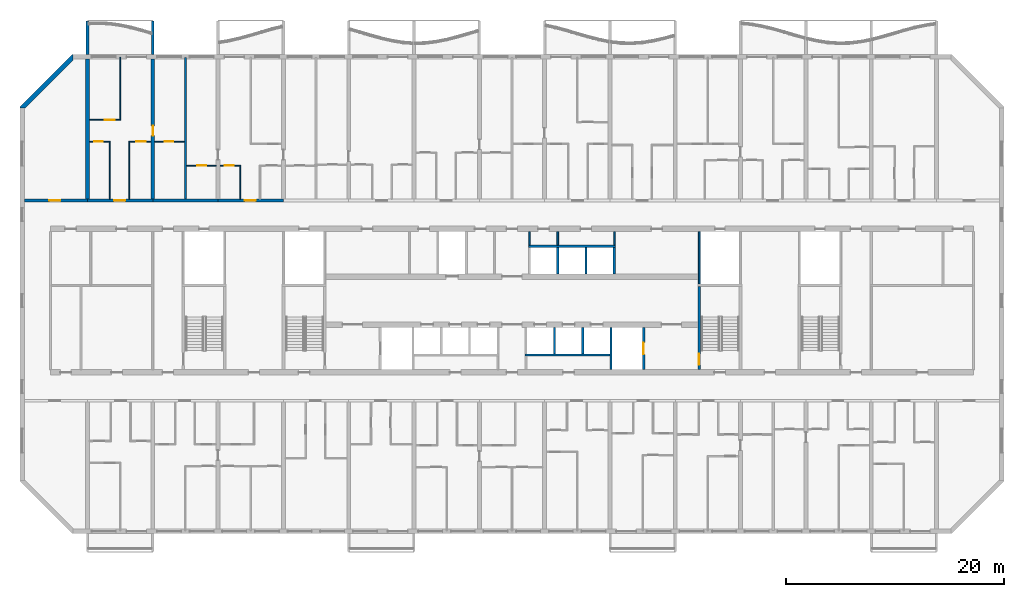
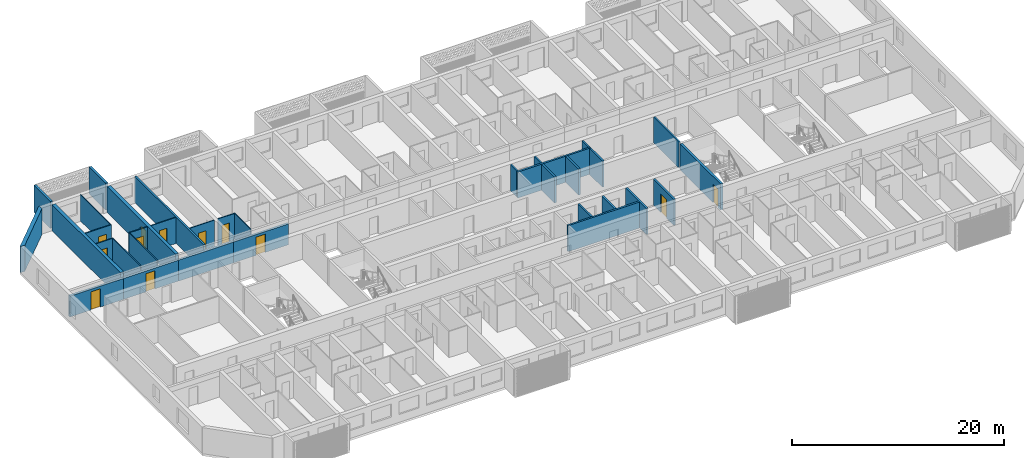
# One storey, part 9 of 24: 34 walls, 12 doors, 12 openings.
"""IFC4 building model written with IfcOpenShell, lengths in metres."""

from ifc_helpers import new_model, si_unit, direction, frame, frame_2d, origin, place, context, subcontext, project, spatial, polyline, rectangle, outline, extrude, source, transform, mapped, material, layer, layer_set, type_object, element, fill, save


model = new_model("IFC4")

# Units and contexts
model_context = context("Model", 3, precision=1e-05, world=origin(), true_north=direction((0.0, 1.0)))
body_context = subcontext(model_context, "Body", "Model", "MODEL_VIEW")
ifc_project = project(units=[si_unit("LENGTHUNIT", "METRE"), si_unit("AREAUNIT", "SQUARE_METRE"), si_unit("VOLUMEUNIT", "CUBIC_METRE"), si_unit("PLANEANGLEUNIT", "RADIAN"), si_unit("MASSUNIT", "GRAM", prefix="KILO")], contexts=[model_context])

# Site, building, storey
site_placement = place(None, origin())
site = spatial("IfcSite", under=ifc_project, at=site_placement, CompositionType="ELEMENT")
building_placement = place(site_placement, origin())
building = spatial("IfcBuilding", under=site, at=building_placement, Name="Poui Terraces", CompositionType="ELEMENT")
storey_placement = place(building_placement, frame((0.0, 0.0, 102.60009765625)))
storey = spatial("IfcBuildingStorey", under=building, at=storey_placement, Name="L28", CompositionType="ELEMENT", Elevation=102.60009765625)

# Wall
ifc_material_1 = material(Name="Fire-rated plasterboard wall")
ifc_layer_1 = layer(ifc_material_1, 0.14990234375)
ifc_layer_set_1 = layer_set([ifc_layer_1], Name="Fire-rated plasterboard wall")
wall_type_1 = type_object("IfcWallType", Name="CORRIDOR WALL 150", PredefinedType="PARTITIONING", material=ifc_layer_set_1)
wall_1_placement = place(storey_placement, frame((52.60009765625, 26.300048828125, 0.0), z_axis=(0.0, 0.0, 1.0), x_axis=(0.0, 1.0, 0.0)))
element("IfcWall", 1, at=wall_1_placement, inside=storey, type_object=wall_type_1, Name="CORRIDOR WALL 150", PredefinedType="PARTITIONING", context=body_context, shape_type="SweptSolid", body=[
    extrude(rectangle(XDim=1.239990234375, YDim=0.14990234375, at=frame_2d((0.6201171875, 0.0))), origin(), (0.0, 0.0, 1.0), 3.0),
])

# Wall, opening, door
ifc_material_2 = material(Name="Concrete 65 MPa", Category="concrete")
ifc_layer_2 = layer(ifc_material_2, 0.25)
ifc_layer_set_2 = layer_set([ifc_layer_2], Name="Concrete 65 MPa")
wall_type_2 = type_object("IfcWallType", Name="CORRIDOR WALL 250 65MPa", PredefinedType="SHEAR", material=ifc_layer_set_2)
wall_2_placement = place(storey_placement, frame((6.199951171875, 30.39990234375, 0.0), z_axis=(0.0, 0.0, 1.0), x_axis=(1.0, 0.0, 0.0)))
wall_2 = element("IfcWall", 2, at=wall_2_placement, inside=storey, type_object=wall_type_2, Name="CORRIDOR WALL LINE E BAY 1", PredefinedType="SHEAR", context=body_context, shape_type="SweptSolid", body=[
    extrude(rectangle(XDim=5.800048828125, YDim=0.25, at=frame_2d((2.89990234375, 0.0))), origin(), (0.0, 0.0, 1.0), 2.39990234375),
])
opening_1_placement = place(wall_2_placement, frame((2.300048828125, 0.0, 0.0)))
opening_1 = element("IfcOpeningElement", 3, at=opening_1_placement, cuts=wall_2, Name="Opening D100", PredefinedType="OPENING", context=body_context, shape_type="SweptSolid", body=[
    extrude(rectangle(XDim=1.0, YDim=2.10009765625, at=frame_2d((0.5, 1.050048828125))), frame((0.0, 0.135009765625, 0.0), z_axis=(0.0, -1.0, 0.0), x_axis=(1.0, 0.0, 0.0)), (0.0, 0.0, 1.0), 0.27001953125),
])
ifc_material_3 = material(Name="Solid core timber door", Category="wood")
door_type_1 = type_object("IfcDoorType", Name="ACCESSIBLE INTERNAL DOOR 1000 X 2100", OperationType="NOTDEFINED", PredefinedType="DOOR", material=ifc_material_3)
door_1_placement = place(opening_1_placement, origin())
door_1 = element("IfcDoor", 4, at=door_1_placement, inside=storey, type_object=door_type_1, Name="ACCESSIBLE INTERNAL DOOR 030", OperationType="SINGLE_SWING_LEFT", OverallHeight=2.10009765625, OverallWidth=1.0, PredefinedType="DOOR", context=body_context, shape_type="SweptSolid", body=[
    extrude(rectangle(XDim=1.0, YDim=2.10009765625, at=frame_2d((0.5, 1.050048828125))), frame((0.0, 0.02490234375, 0.0), z_axis=(0.0, -1.0, 0.0), x_axis=(1.0, 0.0, 0.0)), (0.0, 0.0, 1.0), 0.050048828125),
])
fill(opening_1, door_1)

wall_3_placement = place(storey_placement, frame((12.0, 30.39990234375, 0.0), z_axis=(0.0, 0.0, 1.0), x_axis=(1.0, 0.0, 0.0)))
wall_3 = element("IfcWall", 5, at=wall_3_placement, inside=storey, type_object=wall_type_2, Name="CORRIDOR WALL LINE E BAY 2", PredefinedType="SHEAR", context=body_context, shape_type="SweptSolid", body=[
    extrude(rectangle(XDim=6.0, YDim=0.25, at=frame_2d((3.0, 0.0))), origin(), (0.0, 0.0, 1.0), 2.39990234375),
])
opening_2_placement = place(wall_3_placement, frame((2.449951171875, 0.0, 0.0)))
opening_2 = element("IfcOpeningElement", 6, at=opening_2_placement, cuts=wall_3, Name="Opening FD30S", PredefinedType="OPENING", context=body_context, shape_type="SweptSolid", body=[
    extrude(rectangle(XDim=1.0, YDim=2.10009765625, at=frame_2d((0.5, 1.050048828125))), frame((0.0, 0.135009765625, 0.0), z_axis=(0.0, -1.0, 0.0), x_axis=(1.0, 0.0, 0.0)), (0.0, 0.0, 1.0), 0.27001953125),
])
ifc_material_4 = material(Name="Steel fire door", Category="steel")
door_type_2 = type_object("IfcDoorType", Name="FLAT ENTRANCE DOOR 1000 X 2100", OperationType="NOTDEFINED", PredefinedType="DOOR", material=ifc_material_4)
door_2_placement = place(opening_2_placement, origin())
door_2 = element("IfcDoor", 7, at=door_2_placement, inside=storey, type_object=door_type_2, Name="FLAT ENTRANCE DOOR 034", OperationType="SINGLE_SWING_LEFT", OverallHeight=2.10009765625, OverallWidth=1.0, PredefinedType="DOOR", context=body_context, shape_type="SweptSolid", body=[
    extrude(rectangle(XDim=1.0, YDim=2.10009765625, at=frame_2d((0.5, 1.050048828125))), frame((0.0, 0.02490234375, 0.0), z_axis=(0.0, -1.0, 0.0), x_axis=(1.0, 0.0, 0.0)), (0.0, 0.0, 1.0), 0.050048828125),
])
fill(opening_2, door_2)

# Wall
wall_4_placement = place(storey_placement, frame((18.0, 30.39990234375, 0.0), z_axis=(0.0, 0.0, 1.0), x_axis=(1.0, 0.0, 0.0)))
element("IfcWall", 8, at=wall_4_placement, inside=storey, type_object=wall_type_2, Name="CORRIDOR WALL LINE E BAY 3", PredefinedType="SHEAR", context=body_context, shape_type="SweptSolid", body=[
    extrude(rectangle(XDim=6.0, YDim=0.25, at=frame_2d((3.0, 0.0))), origin(), (0.0, 0.0, 1.0), 2.39990234375),
])

# Wall, opening, door
wall_5_placement = place(storey_placement, frame((24.0, 30.39990234375, 0.0), z_axis=(0.0, 0.0, 1.0), x_axis=(1.0, 0.0, 0.0)))
wall_5 = element("IfcWall", 9, at=wall_5_placement, inside=storey, type_object=wall_type_2, Name="CORRIDOR WALL LINE E BAY 4", PredefinedType="SHEAR", context=body_context, shape_type="SweptSolid", body=[
    extrude(rectangle(XDim=6.0, YDim=0.25, at=frame_2d((3.0, 0.0))), origin(), (0.0, 0.0, 1.0), 2.39990234375),
])
opening_3_placement = place(wall_5_placement, frame((2.449951171875, 0.0, 0.0)))
opening_3 = element("IfcOpeningElement", 10, at=opening_3_placement, cuts=wall_5, Name="Opening FD30S", PredefinedType="OPENING", context=body_context, shape_type="SweptSolid", body=[
    extrude(rectangle(XDim=1.0, YDim=2.10009765625, at=frame_2d((0.5, 1.050048828125))), frame((0.0, 0.135009765625, 0.0), z_axis=(0.0, -1.0, 0.0), x_axis=(1.0, 0.0, 0.0)), (0.0, 0.0, 1.0), 0.27001953125),
])
door_3_placement = place(opening_3_placement, origin())
door_3 = element("IfcDoor", 11, at=door_3_placement, inside=storey, type_object=door_type_2, Name="FLAT ENTRANCE DOOR 041", OperationType="SINGLE_SWING_LEFT", OverallHeight=2.10009765625, OverallWidth=1.0, PredefinedType="DOOR", context=body_context, shape_type="SweptSolid", body=[
    extrude(rectangle(XDim=1.0, YDim=2.10009765625, at=frame_2d((0.5, 1.050048828125))), frame((0.0, 0.02490234375, 0.0), z_axis=(0.0, -1.0, 0.0), x_axis=(1.0, 0.0, 0.0)), (0.0, 0.0, 1.0), 0.050048828125),
])
fill(opening_3, door_3)

# Wall
ifc_layer_3 = layer(ifc_material_2, 0.35009765625)
ifc_layer_set_3 = layer_set([ifc_layer_3], Name="Concrete 65 MPa")
wall_type_3 = type_object("IfcWallType", Name="CROSS WALL 350 65MPa", PredefinedType="SHEAR", material=ifc_layer_set_3)
wall_6_placement = place(storey_placement, frame((12.0, 30.52490234375, 0.0), z_axis=(0.0, 0.0, 1.0), x_axis=(0.0, 1.0, 0.0)))
element("IfcWall", 12, at=wall_6_placement, inside=storey, type_object=wall_type_3, Name="CROSS WALL LINE 3 NORTH", PredefinedType="SHEAR", context=body_context, shape_type="SweptSolid", body=[
    extrude(rectangle(XDim=12.875, YDim=0.35009765625, at=frame_2d((6.4375, 0.0))), origin(), (0.0, 0.0, 1.0), 3.0),
])

# Wall, opening, door
wall_7_placement = place(storey_placement, frame((18.0, 30.52490234375, 0.0), z_axis=(0.0, 0.0, 1.0), x_axis=(0.0, 1.0, 0.0)))
wall_7 = element("IfcWall", 13, at=wall_7_placement, inside=storey, type_object=wall_type_3, Name="CROSS WALL LINE 4 NORTH", PredefinedType="SHEAR", context=body_context, shape_type="SweptSolid", body=[
    extrude(rectangle(XDim=12.875, YDim=0.35009765625, at=frame_2d((6.4375, 0.0))), origin(), (0.0, 0.0, 1.0), 3.0),
])
opening_4_placement = place(wall_7_placement, frame((5.824951171875, 0.0, 0.0)))
opening_4 = element("IfcOpeningElement", 14, at=opening_4_placement, cuts=wall_7, Name="Opening D90", PredefinedType="OPENING", context=body_context, shape_type="SweptSolid", body=[
    extrude(rectangle(XDim=0.89990234375, YDim=2.10009765625, at=frame_2d((0.449951171875, 1.050048828125))), frame((0.0, 0.18505859375, 0.0), z_axis=(0.0, -1.0, 0.0), x_axis=(1.0, 0.0, 0.0)), (0.0, 0.0, 1.0), 0.3701171875),
])
door_type_3 = type_object("IfcDoorType", Name="INTERNAL DOOR 900 X 2100", OperationType="NOTDEFINED", PredefinedType="DOOR", material=ifc_material_3)
door_4_placement = place(opening_4_placement, frame((0.89990234375, 0.0, 0.0), z_axis=(0.0, 0.0, 1.0), x_axis=(-1.0, 0.0, 0.0)))
door_4 = element("IfcDoor", 15, at=door_4_placement, inside=storey, type_object=door_type_3, Name="INTERNAL DOOR 036", OperationType="SINGLE_SWING_RIGHT", OverallHeight=2.10009765625, OverallWidth=0.89990234375, PredefinedType="DOOR", context=body_context, shape_type="SweptSolid", body=[
    extrude(rectangle(XDim=0.89990234375, YDim=2.10009765625, at=frame_2d((0.449951171875, 1.050048828125))), frame((0.0, 0.02490234375, 0.0), z_axis=(0.0, -1.0, 0.0), x_axis=(1.0, 0.0, 0.0)), (0.0, 0.0, 1.0), 0.050048828125),
])
fill(opening_4, door_4)

ifc_material_5 = material(Name="Plasterboard partition")
ifc_layer_4 = layer(ifc_material_5, 0.10009765625)
ifc_layer_set_4 = layer_set([ifc_layer_4], Name="Plasterboard partition")
wall_type_4 = type_object("IfcWallType", Name="FLAT PARTITION 100", PredefinedType="PARTITIONING", material=ifc_layer_set_4)
wall_8_placement = place(storey_placement, frame((21.10009765625, 33.60009765625, 0.0), z_axis=(0.0, 0.0, 1.0), x_axis=(1.0, 0.0, 0.0)))
wall_8 = element("IfcWall", 16, at=wall_8_placement, inside=storey, type_object=wall_type_4, Name="FLAT PARTITION 100", PredefinedType="PARTITIONING", context=body_context, shape_type="SweptSolid", body=[
    extrude(rectangle(XDim=2.71484375, YDim=0.10009765625, at=frame_2d((1.357421875, 0.0))), origin(), (0.0, 0.0, 1.0), 3.0),
])
opening_5_placement = place(wall_8_placement, frame((1.0, 0.0, 0.0)))
opening_5 = element("IfcOpeningElement", 17, at=opening_5_placement, cuts=wall_8, Name="Opening D80", PredefinedType="OPENING", context=body_context, shape_type="SweptSolid", body=[
    extrude(rectangle(XDim=0.800048828125, YDim=2.10009765625, at=frame_2d((0.39990234375, 1.050048828125))), frame((0.0, 0.06005859375, 0.0), z_axis=(0.0, -1.0, 0.0), x_axis=(1.0, 0.0, 0.0)), (0.0, 0.0, 1.0), 0.1201171875),
])
door_type_4 = type_object("IfcDoorType", Name="BATHROOM, LAUNDRY AND STORE DOOR 800 X 2100", OperationType="NOTDEFINED", PredefinedType="DOOR", material=ifc_material_3)
door_5_placement = place(opening_5_placement, frame((0.800048828125, 0.0, 0.0), z_axis=(0.0, 0.0, 1.0), x_axis=(-1.0, 0.0, 0.0)))
door_5 = element("IfcDoor", 18, at=door_5_placement, inside=storey, type_object=door_type_4, Name="BATHROOM, LAUNDRY AND STORE DOOR 037", OperationType="SINGLE_SWING_RIGHT", OverallHeight=2.10009765625, OverallWidth=0.800048828125, PredefinedType="DOOR", context=body_context, shape_type="SweptSolid", body=[
    extrude(rectangle(XDim=0.800048828125, YDim=2.10009765625, at=frame_2d((0.39990234375, 1.050048828125))), frame((0.0, 0.02490234375, 0.0), z_axis=(0.0, -1.0, 0.0), x_axis=(1.0, 0.0, 0.0)), (0.0, 0.0, 1.0), 0.050048828125),
])
fill(opening_5, door_5)

wall_9_placement = place(storey_placement, frame((24.18505859375, 33.60009765625, 0.0), z_axis=(0.0, 0.0, 1.0), x_axis=(1.0, 0.0, 0.0)))
wall_9 = element("IfcWall", 19, at=wall_9_placement, inside=storey, type_object=wall_type_4, Name="FLAT PARTITION 100", PredefinedType="PARTITIONING", context=body_context, shape_type="SweptSolid", body=[
    extrude(rectangle(XDim=1.9150390625, YDim=0.10009765625, at=frame_2d((0.95751953125, 0.0))), origin(), (0.0, 0.0, 1.0), 3.0),
])
opening_6_placement = place(wall_9_placement, frame((0.43994140625, 0.0, 0.0)))
opening_6 = element("IfcOpeningElement", 20, at=opening_6_placement, cuts=wall_9, Name="Opening D80", PredefinedType="OPENING", context=body_context, shape_type="SweptSolid", body=[
    extrude(rectangle(XDim=0.800048828125, YDim=2.10009765625, at=frame_2d((0.39990234375, 1.050048828125))), frame((0.0, 0.06005859375, 0.0), z_axis=(0.0, -1.0, 0.0), x_axis=(1.0, 0.0, 0.0)), (0.0, 0.0, 1.0), 0.1201171875),
])
door_6_placement = place(opening_6_placement, frame((0.800048828125, 0.0, 0.0), z_axis=(0.0, 0.0, 1.0), x_axis=(-1.0, 0.0, 0.0)))
door_6 = element("IfcDoor", 21, at=door_6_placement, inside=storey, type_object=door_type_4, Name="BATHROOM, LAUNDRY AND STORE DOOR 040", OperationType="SINGLE_SWING_RIGHT", OverallHeight=2.10009765625, OverallWidth=0.800048828125, PredefinedType="DOOR", context=body_context, shape_type="SweptSolid", body=[
    extrude(rectangle(XDim=0.800048828125, YDim=2.10009765625, at=frame_2d((0.39990234375, 1.050048828125))), frame((0.0, 0.02490234375, 0.0), z_axis=(0.0, -1.0, 0.0), x_axis=(1.0, 0.0, 0.0)), (0.0, 0.0, 1.0), 0.050048828125),
])
fill(opening_6, door_6)

wall_10_placement = place(storey_placement, frame((12.18505859375, 35.800048828125, 0.0), z_axis=(0.0, 0.0, 1.0), x_axis=(1.0, 0.0, 0.0)))
wall_10 = element("IfcWall", 22, at=wall_10_placement, inside=storey, type_object=wall_type_4, Name="FLAT PARTITION 100", PredefinedType="PARTITIONING", context=body_context, shape_type="SweptSolid", body=[
    extrude(rectangle(XDim=1.9150390625, YDim=0.10009765625, at=frame_2d((0.95751953125, 0.0))), origin(), (0.0, 0.0, 1.0), 3.0),
])
opening_7_placement = place(wall_10_placement, frame((0.43994140625, 0.0, 0.0)))
opening_7 = element("IfcOpeningElement", 23, at=opening_7_placement, cuts=wall_10, Name="Opening D80", PredefinedType="OPENING", context=body_context, shape_type="SweptSolid", body=[
    extrude(rectangle(XDim=0.800048828125, YDim=2.10009765625, at=frame_2d((0.39990234375, 1.050048828125))), frame((0.0, 0.06005859375, 0.0), z_axis=(0.0, -1.0, 0.0), x_axis=(1.0, 0.0, 0.0)), (0.0, 0.0, 1.0), 0.1201171875),
])
door_7_placement = place(opening_7_placement, frame((0.800048828125, 0.0, 0.0), z_axis=(0.0, 0.0, 1.0), x_axis=(-1.0, 0.0, 0.0)))
door_7 = element("IfcDoor", 24, at=door_7_placement, inside=storey, type_object=door_type_4, Name="BATHROOM, LAUNDRY AND STORE DOOR 032", OperationType="SINGLE_SWING_LEFT", OverallHeight=2.10009765625, OverallWidth=0.800048828125, PredefinedType="DOOR", context=body_context, shape_type="SweptSolid", body=[
    extrude(rectangle(XDim=0.800048828125, YDim=2.10009765625, at=frame_2d((0.39990234375, 1.050048828125))), frame((0.0, 0.02490234375, 0.0), z_axis=(0.0, -1.0, 0.0), x_axis=(1.0, 0.0, 0.0)), (0.0, 0.0, 1.0), 0.050048828125),
])
fill(opening_7, door_7)

wall_11_placement = place(storey_placement, frame((15.800048828125, 35.800048828125, 0.0), z_axis=(0.0, 0.0, 1.0), x_axis=(1.0, 0.0, 0.0)))
wall_11 = element("IfcWall", 25, at=wall_11_placement, inside=storey, type_object=wall_type_4, Name="FLAT PARTITION 100", PredefinedType="PARTITIONING", context=body_context, shape_type="SweptSolid", body=[
    extrude(rectangle(XDim=2.014892578125, YDim=0.10009765625, at=frame_2d((1.00732421875, 0.0))), origin(), (0.0, 0.0, 1.0), 3.0),
])
opening_8_placement = place(wall_11_placement, frame((0.675048828125, 0.0, 0.0)))
opening_8 = element("IfcOpeningElement", 26, at=opening_8_placement, cuts=wall_11, Name="Opening D90", PredefinedType="OPENING", context=body_context, shape_type="SweptSolid", body=[
    extrude(rectangle(XDim=0.89990234375, YDim=2.10009765625, at=frame_2d((0.449951171875, 1.050048828125))), frame((0.0, 0.06005859375, 0.0), z_axis=(0.0, -1.0, 0.0), x_axis=(1.0, 0.0, 0.0)), (0.0, 0.0, 1.0), 0.1201171875),
])
door_8_placement = place(opening_8_placement, frame((0.89990234375, 0.0, 0.0), z_axis=(0.0, 0.0, 1.0), x_axis=(-1.0, 0.0, 0.0)))
door_8 = element("IfcDoor", 27, at=door_8_placement, inside=storey, type_object=door_type_3, Name="INTERNAL DOOR 035", OperationType="SINGLE_SWING_RIGHT", OverallHeight=2.10009765625, OverallWidth=0.89990234375, PredefinedType="DOOR", context=body_context, shape_type="SweptSolid", body=[
    extrude(rectangle(XDim=0.89990234375, YDim=2.10009765625, at=frame_2d((0.449951171875, 1.050048828125))), frame((0.0, 0.02490234375, 0.0), z_axis=(0.0, -1.0, 0.0), x_axis=(1.0, 0.0, 0.0)), (0.0, 0.0, 1.0), 0.050048828125),
])
fill(opening_8, door_8)

wall_12_placement = place(storey_placement, frame((18.18505859375, 35.800048828125, 0.0), z_axis=(0.0, 0.0, 1.0), x_axis=(1.0, 0.0, 0.0)))
wall_12 = element("IfcWall", 28, at=wall_12_placement, inside=storey, type_object=wall_type_4, Name="FLAT PARTITION 100", PredefinedType="PARTITIONING", context=body_context, shape_type="SweptSolid", body=[
    extrude(rectangle(XDim=2.71484375, YDim=0.10009765625, at=frame_2d((1.357421875, 0.0))), origin(), (0.0, 0.0, 1.0), 3.0),
])
opening_9_placement = place(wall_12_placement, frame((0.9150390625, 0.0, 0.0)))
opening_9 = element("IfcOpeningElement", 29, at=opening_9_placement, cuts=wall_12, Name="Opening D80", PredefinedType="OPENING", context=body_context, shape_type="SweptSolid", body=[
    extrude(rectangle(XDim=0.800048828125, YDim=2.10009765625, at=frame_2d((0.39990234375, 1.050048828125))), frame((0.0, 0.06005859375, 0.0), z_axis=(0.0, -1.0, 0.0), x_axis=(1.0, 0.0, 0.0)), (0.0, 0.0, 1.0), 0.1201171875),
])
door_9_placement = place(opening_9_placement, frame((0.800048828125, 0.0, 0.0), z_axis=(0.0, 0.0, 1.0), x_axis=(-1.0, 0.0, 0.0)))
door_9 = element("IfcDoor", 30, at=door_9_placement, inside=storey, type_object=door_type_4, Name="BATHROOM, LAUNDRY AND STORE DOOR 031", OperationType="SINGLE_SWING_LEFT", OverallHeight=2.10009765625, OverallWidth=0.800048828125, PredefinedType="DOOR", context=body_context, shape_type="SweptSolid", body=[
    extrude(rectangle(XDim=0.800048828125, YDim=2.10009765625, at=frame_2d((0.39990234375, 1.050048828125))), frame((0.0, 0.02490234375, 0.0), z_axis=(0.0, -1.0, 0.0), x_axis=(1.0, 0.0, 0.0)), (0.0, 0.0, 1.0), 0.050048828125),
])
fill(opening_9, door_9)

wall_13_placement = place(storey_placement, frame((12.18505859375, 37.800048828125, 0.0), z_axis=(0.0, 0.0, 1.0), x_axis=(1.0, 0.0, 0.0)))
wall_13 = element("IfcWall", 31, at=wall_13_placement, inside=storey, type_object=wall_type_4, Name="FLAT PARTITION 100", PredefinedType="PARTITIONING", context=body_context, shape_type="SweptSolid", body=[
    extrude(rectangle(XDim=2.864990234375, YDim=0.10009765625, at=frame_2d((1.4326171875, 0.0))), origin(), (0.0, 0.0, 1.0), 3.0),
])
opening_10_placement = place(wall_13_placement, frame((1.4150390625, 0.0, 0.0)))
opening_10 = element("IfcOpeningElement", 32, at=opening_10_placement, cuts=wall_13, Name="Opening D90", PredefinedType="OPENING", context=body_context, shape_type="SweptSolid", body=[
    extrude(rectangle(XDim=0.89990234375, YDim=2.10009765625, at=frame_2d((0.449951171875, 1.050048828125))), frame((0.0, 0.06005859375, 0.0), z_axis=(0.0, -1.0, 0.0), x_axis=(1.0, 0.0, 0.0)), (0.0, 0.0, 1.0), 0.1201171875),
])
door_10_placement = place(opening_10_placement, origin())
door_10 = element("IfcDoor", 33, at=door_10_placement, inside=storey, type_object=door_type_3, Name="INTERNAL DOOR 033", OperationType="SINGLE_SWING_RIGHT", OverallHeight=2.10009765625, OverallWidth=0.89990234375, PredefinedType="DOOR", context=body_context, shape_type="SweptSolid", body=[
    extrude(rectangle(XDim=0.89990234375, YDim=2.10009765625, at=frame_2d((0.449951171875, 1.050048828125))), frame((0.0, 0.02490234375, 0.0), z_axis=(0.0, -1.0, 0.0), x_axis=(1.0, 0.0, 0.0)), (0.0, 0.0, 1.0), 0.050048828125),
])
fill(opening_10, door_10)

# Walls
wall_14_placement = place(storey_placement, frame((14.050048828125, 30.534912109375, 0.0), z_axis=(0.0, 0.0, 1.0), x_axis=(0.0, 1.0, 0.0)))
element("IfcWall", 34, at=wall_14_placement, inside=storey, type_object=wall_type_4, Name="FLAT PARTITION 100", PredefinedType="PARTITIONING", context=body_context, shape_type="SweptSolid", body=[
    extrude(rectangle(XDim=5.215087890625, YDim=0.10009765625, at=frame_2d((2.607421875, 0.0))), origin(), (0.0, 0.0, 1.0), 3.0),
])
wall_15_placement = place(storey_placement, frame((15.0, 37.85009765625, 0.0), z_axis=(0.0, 0.0, 1.0), x_axis=(0.0, 1.0, 0.0)))
element("IfcWall", 35, at=wall_15_placement, inside=storey, type_object=wall_type_4, Name="FLAT PARTITION 100", PredefinedType="PARTITIONING", context=body_context, shape_type="SweptSolid", body=[
    extrude(rectangle(XDim=5.68994140625, YDim=0.10009765625, at=frame_2d((2.844970703125, 0.0))), origin(), (0.0, 0.0, 1.0), 3.0),
])
wall_16_placement = place(storey_placement, frame((15.85009765625, 30.534912109375, 0.0), z_axis=(0.0, 0.0, 1.0), x_axis=(0.0, 1.0, 0.0)))
element("IfcWall", 36, at=wall_16_placement, inside=storey, type_object=wall_type_4, Name="FLAT PARTITION 100", PredefinedType="PARTITIONING", context=body_context, shape_type="SweptSolid", body=[
    extrude(rectangle(XDim=5.215087890625, YDim=0.10009765625, at=frame_2d((2.607421875, 0.0))), origin(), (0.0, 0.0, 1.0), 3.0),
])
wall_17_placement = place(storey_placement, frame((26.050048828125, 30.534912109375, 0.0), z_axis=(0.0, 0.0, 1.0), x_axis=(0.0, 1.0, 0.0)))
element("IfcWall", 37, at=wall_17_placement, inside=storey, type_object=wall_type_4, Name="FLAT PARTITION 100", PredefinedType="PARTITIONING", context=body_context, shape_type="SweptSolid", body=[
    extrude(rectangle(XDim=3.01513671875, YDim=0.10009765625, at=frame_2d((1.507568359375, 0.0))), origin(), (0.0, 0.0, 1.0), 3.0),
])
ifc_material_6 = material(Name="Fire-rated masonry wall", Category="masonry")
ifc_layer_5 = layer(ifc_material_6, 0.199951171875)
ifc_layer_set_5 = layer_set([ifc_layer_5], Name="Fire-rated masonry wall")
wall_type_5 = type_object("IfcWallType", Name="FLAT PARTY WALL 200", PredefinedType="PARTITIONING", material=ifc_layer_set_5)
wall_18_placement = place(storey_placement, frame((21.0, 30.534912109375, 0.0), z_axis=(0.0, 0.0, 1.0), x_axis=(0.0, 1.0, 0.0)))
element("IfcWall", 38, at=wall_18_placement, inside=storey, type_object=wall_type_5, Name="FLAT PARTY WALL 200", PredefinedType="PARTITIONING", context=body_context, shape_type="SweptSolid", body=[
    extrude(rectangle(XDim=13.005126953125, YDim=0.199951171875, at=frame_2d((6.50244140625, 0.0))), origin(), (0.0, 0.0, 1.0), 3.0),
])
ifc_layer_6 = layer(ifc_material_5, 0.14990234375)
ifc_layer_set_6 = layer_set([ifc_layer_6], Name="Plasterboard partition")
wall_type_6 = type_object("IfcWallType", Name="PARTITION WALL 150", PredefinedType="PARTITIONING", material=ifc_layer_set_6)
for number, where, z_axis, x_axis, name in (
    (39, (55.199951171875, 26.300048828125, 0.0), (0.0, 0.0, 1.0), (0.0, 1.0, 0.0), "PARTITION WALL 150"),
    (40, (60.39990234375, 26.300048828125, 0.0), (0.0, 0.0, 1.0), (0.0, 1.0, 0.0), "PARTITION WALL 150"),
):
    element("IfcWall", number, at=place(storey_placement, frame(where, z_axis=z_axis, x_axis=x_axis)), inside=storey, type_object=wall_type_6, Name=name, PredefinedType="PARTITIONING", context=body_context, shape_type="SweptSolid", body=[
        extrude(rectangle(XDim=1.239990234375, YDim=0.14990234375, at=frame_2d((0.6201171875, 0.0))), origin(), (0.0, 0.0, 1.0), 3.0),
    ])
ifc_material_7 = material(Name="Fire-rated plasterboard riser wall")
ifc_layer_7 = layer(ifc_material_7, 0.14990234375)
ifc_layer_set_7 = layer_set([ifc_layer_7], Name="Fire-rated plasterboard riser wall")
wall_type_7 = type_object("IfcWallType", Name="RISER WALL 150", PredefinedType="PARTITIONING", material=ifc_layer_set_7)
wall_19_placement = place(storey_placement, frame((68.199951171875, 22.735107421875, 0.0), z_axis=(0.0, 0.0, 1.0), x_axis=(0.0, 1.0, 0.0)))
element("IfcWall", 41, at=wall_19_placement, inside=storey, type_object=wall_type_7, Name="RISER WALL 150", PredefinedType="PARTITIONING", context=body_context, shape_type="SweptSolid", body=[
    extrude(rectangle(XDim=4.804931640625, YDim=0.14990234375, at=frame_2d((2.40234375, 0.0))), origin(), (0.0, 0.0, 1.0), 3.0),
])
ifc_material_8 = material(Name="Fire-rated masonry shaft wall", Category="masonry")
ifc_layer_8 = layer(ifc_material_8, 0.199951171875)
ifc_layer_set_8 = layer_set([ifc_layer_8], Name="Fire-rated masonry shaft wall")
wall_type_8 = type_object("IfcWallType", Name="SHAFT WALL 200", PredefinedType="PARTITIONING", material=ifc_layer_set_8)
wall_20_placement = place(storey_placement, frame((52.199951171875, 16.199951171875, 0.0), z_axis=(0.0, 0.0, 1.0), x_axis=(1.0, 0.0, 0.0)))
element("IfcWall", 42, at=wall_20_placement, inside=storey, type_object=wall_type_8, Name="SHAFT WALL 200", PredefinedType="PARTITIONING", context=body_context, shape_type="SweptSolid", body=[
    extrude(rectangle(XDim=7.800048828125, YDim=0.199951171875, at=frame_2d((3.89990234375, 0.0))), origin(), (0.0, 0.0, 1.0), 3.0),
])
wall_21_placement = place(storey_placement, frame((52.5, 26.199951171875, 0.0), z_axis=(0.0, 0.0, 1.0), x_axis=(1.0, 0.0, 0.0)))
element("IfcWall", 43, at=wall_21_placement, inside=storey, type_object=wall_type_8, Name="SHAFT WALL 200", PredefinedType="PARTITIONING", context=body_context, shape_type="SweptSolid", body=[
    extrude(rectangle(XDim=8.0, YDim=0.199951171875, at=frame_2d((4.0, 0.0))), origin(), (0.0, 0.0, 1.0), 3.0),
])
wall_22_placement = place(storey_placement, frame((54.89990234375, 16.300048828125, 0.0), z_axis=(0.0, 0.0, 1.0), x_axis=(0.0, 1.0, 0.0)))
element("IfcWall", 44, at=wall_22_placement, inside=storey, type_object=wall_type_8, Name="SHAFT WALL 200", PredefinedType="PARTITIONING", context=body_context, shape_type="SweptSolid", body=[
    extrude(rectangle(XDim=2.43994140625, YDim=0.199951171875, at=frame_2d((1.219970703125, 0.0))), origin(), (0.0, 0.0, 1.0), 3.0),
])
wall_23_placement = place(storey_placement, frame((55.199951171875, 23.659912109375, 0.0), z_axis=(0.0, 0.0, 1.0), x_axis=(0.0, 1.0, 0.0)))
element("IfcWall", 45, at=wall_23_placement, inside=storey, type_object=wall_type_8, Name="SHAFT WALL 200", PredefinedType="PARTITIONING", context=body_context, shape_type="SweptSolid", body=[
    extrude(rectangle(XDim=2.440185546875, YDim=0.199951171875, at=frame_2d((1.22021484375, 0.0))), origin(), (0.0, 0.0, 1.0), 3.0),
])
wall_24_placement = place(storey_placement, frame((57.5, 16.300048828125, 0.0), z_axis=(0.0, 0.0, 1.0), x_axis=(0.0, 1.0, 0.0)))
element("IfcWall", 46, at=wall_24_placement, inside=storey, type_object=wall_type_8, Name="SHAFT WALL 200", PredefinedType="PARTITIONING", context=body_context, shape_type="SweptSolid", body=[
    extrude(rectangle(XDim=2.43994140625, YDim=0.199951171875, at=frame_2d((1.219970703125, 0.0))), origin(), (0.0, 0.0, 1.0), 3.0),
])
wall_25_placement = place(storey_placement, frame((57.800048828125, 23.659912109375, 0.0), z_axis=(0.0, 0.0, 1.0), x_axis=(0.0, 1.0, 0.0)))
element("IfcWall", 47, at=wall_25_placement, inside=storey, type_object=wall_type_8, Name="SHAFT WALL 200", PredefinedType="PARTITIONING", context=body_context, shape_type="SweptSolid", body=[
    extrude(rectangle(XDim=2.440185546875, YDim=0.199951171875, at=frame_2d((1.22021484375, 0.0))), origin(), (0.0, 0.0, 1.0), 3.0),
])
wall_26_placement = place(storey_placement, frame((60.10009765625, 14.860107421875, 0.0), z_axis=(0.0, 0.0, 1.0), x_axis=(0.0, 1.0, 0.0)))
element("IfcWall", 48, at=wall_26_placement, inside=storey, type_object=wall_type_8, Name="SHAFT WALL 200", PredefinedType="PARTITIONING", context=body_context, shape_type="SweptSolid", body=[
    extrude(rectangle(XDim=3.8798828125, YDim=0.199951171875, at=frame_2d((1.93994140625, 0.0))), origin(), (0.0, 0.0, 1.0), 3.0),
])
wall_27_placement = place(storey_placement, frame((60.39990234375, 23.659912109375, 0.0), z_axis=(0.0, 0.0, 1.0), x_axis=(0.0, 1.0, 0.0)))
element("IfcWall", 49, at=wall_27_placement, inside=storey, type_object=wall_type_8, Name="SHAFT WALL 200", PredefinedType="PARTITIONING", context=body_context, shape_type="SweptSolid", body=[
    extrude(rectangle(XDim=2.440185546875, YDim=0.199951171875, at=frame_2d((1.22021484375, 0.0))), origin(), (0.0, 0.0, 1.0), 3.0),
])

# Wall, opening, door
wall_28_placement = place(storey_placement, frame((63.10009765625, 14.860107421875, 0.0), z_axis=(0.0, 0.0, 1.0), x_axis=(0.0, 1.0, 0.0)))
wall_28 = element("IfcWall", 50, at=wall_28_placement, inside=storey, type_object=wall_type_8, Name="SHAFT WALL 200", PredefinedType="PARTITIONING", context=body_context, shape_type="SweptSolid", body=[
    extrude(rectangle(XDim=3.8798828125, YDim=0.199951171875, at=frame_2d((1.93994140625, 0.0))), origin(), (0.0, 0.0, 1.0), 3.0),
])
opening_11_placement = place(wall_28_placement, frame((1.389892578125, 0.0, 0.0)))
opening_11 = element("IfcOpeningElement", 51, at=opening_11_placement, cuts=wall_28, Name="Opening LD", PredefinedType="OPENING", context=body_context, shape_type="SweptSolid", body=[
    extrude(rectangle(XDim=1.10009765625, YDim=2.10009765625, at=frame_2d((0.550048828125, 1.050048828125))), frame((0.0, 0.10986328125, 0.0), z_axis=(0.0, -1.0, 0.0), x_axis=(1.0, 0.0, 0.0)), (0.0, 0.0, 1.0), 0.219970703125),
])
ifc_material_9 = material(Name="Stainless steel sliding door", Category="steel")
door_type_5 = type_object("IfcDoorType", Name="LIFT LANDING DOOR 1100 X 2100", OperationType="DOUBLE_DOOR_SLIDING", PredefinedType="DOOR", material=ifc_material_9)
door_11_placement = place(opening_11_placement, origin())
door_11 = element("IfcDoor", 52, at=door_11_placement, inside=storey, type_object=door_type_5, Name="LANDING DOOR", OperationType="DOUBLE_DOOR_SLIDING", OverallHeight=2.10009765625, OverallWidth=1.10009765625, PredefinedType="DOOR", context=body_context, shape_type="SweptSolid", body=[
    extrude(rectangle(XDim=1.10009765625, YDim=2.10009765625, at=frame_2d((0.550048828125, 1.050048828125))), frame((0.0, 0.02490234375, 0.0), z_axis=(0.0, -1.0, 0.0), x_axis=(1.0, 0.0, 0.0)), (0.0, 0.0, 1.0), 0.050048828125),
])
fill(opening_11, door_11)

ifc_layer_9 = layer(ifc_material_2, 0.25)
ifc_layer_set_9 = layer_set([ifc_layer_9], Name="Concrete 65 MPa")
wall_type_9 = type_object("IfcWallType", Name="STAIR CORE WALL 250 65 MPA", PredefinedType="SOLIDWALL", material=ifc_layer_set_9)
wall_29_placement = place(storey_placement, frame((68.199951171875, 14.85009765625, 0.0), z_axis=(0.0, 0.0, 1.0), x_axis=(0.0, 1.0, 0.0)))
wall_29 = element("IfcWall", 53, at=wall_29_placement, inside=storey, type_object=wall_type_9, Name="STAIR CORE WALL", PredefinedType="SOLIDWALL", context=body_context, shape_type="SweptSolid", body=[
    extrude(rectangle(XDim=7.625, YDim=0.25, at=frame_2d((3.8125, 0.0))), origin(), (0.0, 0.0, 1.0), 3.0),
])
opening_12_placement = place(wall_29_placement, frame((0.449951171875, 0.0, 0.0)))
opening_12 = element("IfcOpeningElement", 54, at=opening_12_placement, cuts=wall_29, Name="Opening FD60S", PredefinedType="OPENING", context=body_context, shape_type="SweptSolid", body=[
    extrude(rectangle(XDim=1.0, YDim=2.10009765625, at=frame_2d((0.5, 1.050048828125))), frame((0.0, 0.135009765625, 0.0), z_axis=(0.0, -1.0, 0.0), x_axis=(1.0, 0.0, 0.0)), (0.0, 0.0, 1.0), 0.27001953125),
])
door_type_6 = type_object("IfcDoorType", Name="STAIR DOOR 1000 X 2100", OperationType="NOTDEFINED", PredefinedType="DOOR", material=ifc_material_4)
door_12_placement = place(opening_12_placement, frame((1.0, 0.0, 0.0), z_axis=(0.0, 0.0, 1.0), x_axis=(-1.0, 0.0, 0.0)))
door_12 = element("IfcDoor", 55, at=door_12_placement, inside=storey, type_object=door_type_6, Name="STAIR DOOR 133", OperationType="SINGLE_SWING_LEFT", OverallHeight=2.10009765625, OverallWidth=1.0, PredefinedType="DOOR", context=body_context, shape_type="SweptSolid", body=[
    extrude(rectangle(XDim=1.0, YDim=2.10009765625, at=frame_2d((0.5, 1.050048828125))), frame((0.0, 0.02490234375, 0.0), z_axis=(0.0, -1.0, 0.0), x_axis=(1.0, 0.0, 0.0)), (0.0, 0.0, 1.0), 0.050048828125),
])
fill(opening_12, door_12)

# Walls
ifc_material_10 = material(Name="Precast concrete 40 MPa", Category="concrete")
ifc_layer_10 = layer(ifc_material_10, 0.39990234375)
ifc_layer_set_10 = layer_set([ifc_layer_10], Name="Precast concrete 40 MPa")
wall_type_10 = type_object("IfcWallType", Name="TERRACOTTA CLAD CHAMFER WALL 400", PredefinedType="STANDARD", material=ifc_layer_set_10)
wall_30_placement = place(storey_placement, origin())
element("IfcWall", 56, at=wall_30_placement, inside=storey, type_object=wall_type_10, Name="CHAMFER WALL CH05", PredefinedType="STANDARD", context=body_context, shape_type="SweptSolid", body=[
    extrude(outline(polyline([(10.682861328125, 43.800048828125), (10.60009765625, 43.800048828125), (5.800048828125, 39.0), (5.800048828125, 38.917236328125), (6.28271484375, 38.917236328125), (10.682861328125, 43.317138671875), (10.682861328125, 43.800048828125)])), origin(), (0.0, 0.0, 1.0), 3.0),
])
ifc_layer_11 = layer(ifc_material_10, 0.25)
ifc_layer_set_11 = layer_set([ifc_layer_11], Name="Precast concrete 40 MPa")
wall_type_11 = type_object("IfcWallType", Name="BALCONY FIN 250", PredefinedType="STANDARD", material=ifc_layer_set_11)
shared_shape = source(origin(), body_context, "Body", "SweptSolid", [
    extrude(outline(polyline([(0.0, 0.0), (0.25, 0.0), (0.25, 3.099853515625), (0.0, 3.099853515625), (0.0, 0.0)])), origin(), (0.0, 0.0, 1.0), 3.099853515625),
])
for number, where, name in (
    (57, (11.875, 43.800048828125, 0.0), "BALCONY FIN"),
    (58, (17.875, 43.800048828125, 0.0), "BALCONY FIN"),
):
    element("IfcWall", number, at=place(storey_placement, frame(where)), inside=storey, type_object=wall_type_11, Name=name, PredefinedType="STANDARD", context=body_context, shape_type="MappedRepresentation", body=[
        mapped(shared_shape, transform((0.0, 0.0, 0.0))),
    ])

save(model, "model.ifc")
